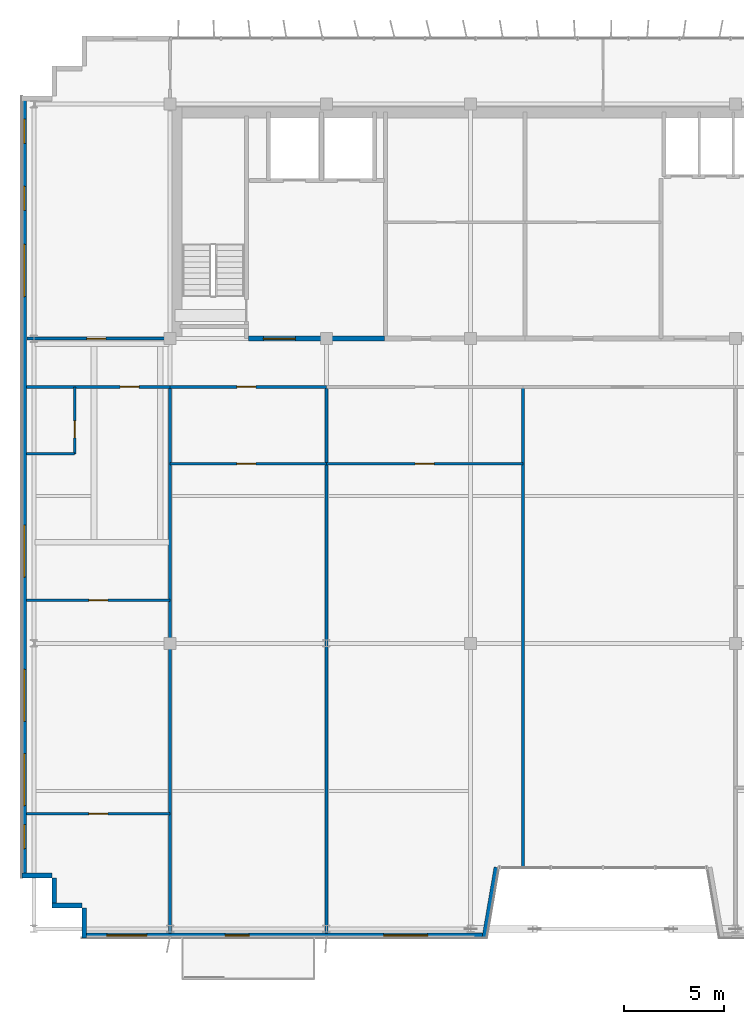
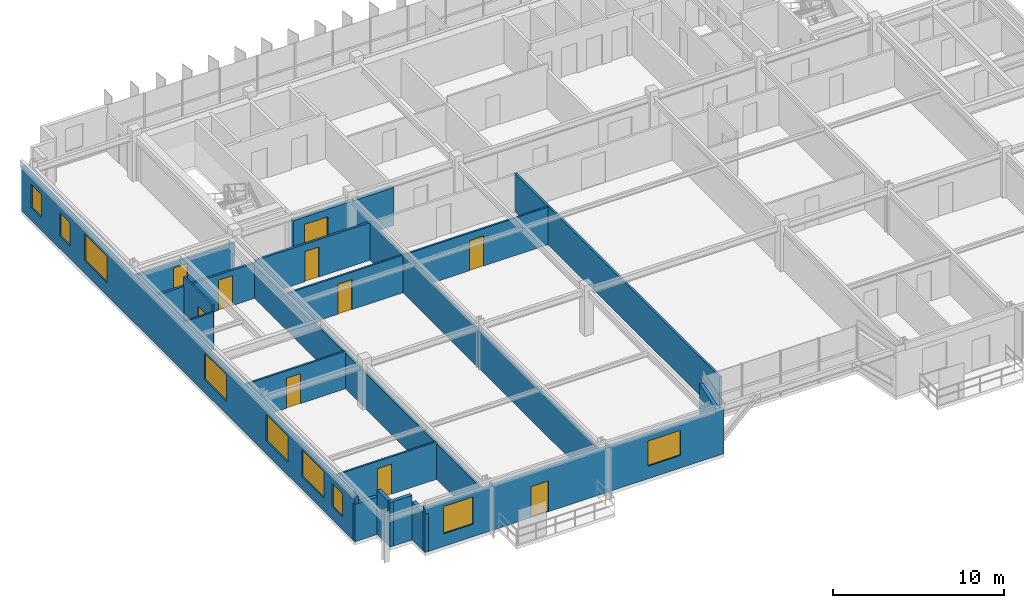
# One storey, part 21 of 26: 20 walls, 10 doors, 9 windows, 19 openings.
"""IFC4 building model written with IfcOpenShell, lengths in metres."""

from ifc_helpers import new_model, si_unit, direction, frame, frame_2d, origin, place, context, subcontext, project, spatial, rectangle, extrude, source, transform, mapped, material, layer, layer_set, type_object, element, fill, save


model = new_model("IFC4")

# Units and contexts
model_context = context("Model", 3, precision=1e-05, world=origin(), true_north=direction((0.0, 1.0)))
body_context = subcontext(model_context, "Body", "Model", "MODEL_VIEW")
ifc_project = project(units=[si_unit("LENGTHUNIT", "METRE"), si_unit("AREAUNIT", "SQUARE_METRE"), si_unit("VOLUMEUNIT", "CUBIC_METRE"), si_unit("PLANEANGLEUNIT", "RADIAN"), si_unit("MASSUNIT", "GRAM", prefix="KILO")], contexts=[model_context])

# Site, building, storey
site_placement = place(None, origin())
site = spatial("IfcSite", under=ifc_project, at=site_placement, CompositionType="ELEMENT")
building_placement = place(site_placement, origin())
building = spatial("IfcBuilding", under=site, at=building_placement, Name="Trelvane Seafront Commons", CompositionType="ELEMENT")
storey_placement = place(building_placement, frame((0.0, 0.0, 291.89990234375)))
storey = spatial("IfcBuildingStorey", under=building, at=storey_placement, Name="L76", CompositionType="ELEMENT", Elevation=291.89990234375)

# Walls
ifc_material_1 = material(Name="Precast concrete C40/50", Category="concrete")
ifc_layer_1 = layer(ifc_material_1, 0.239990234375, Name="ARCH-WALL-EXT240")
ifc_layer_set_1 = layer_set([ifc_layer_1], Name="Precast concrete C40/50")
wall_type_1 = type_object("IfcWallType", Name="ARCH-WALL-EXT240", PredefinedType="SOLIDWALL", material=ifc_layer_set_1)
for number, where, z_axis, x_axis, name in (
    (1, (11.199951171875, 5.1201171875, 0.0), (0.0, 0.0, 1.0), (-1.0, 0.0, 0.0), "EW-L76-01535"),
    (2, (9.820068359375, 5.0, 0.0), (0.0, 0.0, 1.0), (0.0, 1.0, 0.0), "EW-L76-01536"),
):
    element("IfcWall", number, at=place(storey_placement, frame(where, z_axis=z_axis, x_axis=x_axis)), inside=storey, type_object=wall_type_1, Name=name, PredefinedType="SOLIDWALL", context=body_context, shape_type="SweptSolid", body=[
        extrude(rectangle(XDim=1.5, YDim=0.239990234375, at=frame_2d((0.75, 0.0))), origin(), (0.0, 0.0, 1.0), 3.18017578125),
    ])
wall_1_placement = place(storey_placement, frame((9.699951171875, 6.6201171875, 0.0), z_axis=(0.0, 0.0, 1.0), x_axis=(-1.0, 0.0, 0.0)))
element("IfcWall", 3, at=wall_1_placement, inside=storey, type_object=wall_type_1, Name="EW-L76-01537", PredefinedType="SOLIDWALL", context=body_context, shape_type="SweptSolid", body=[
    extrude(rectangle(XDim=1.5, YDim=0.239990234375, at=frame_2d((0.75, 0.0))), origin(), (0.0, 0.0, 1.0), 2.68017578125),
])

# Wall, openings, windows
wall_2_placement = place(storey_placement, frame((8.320068359375, 6.5, 0.0), z_axis=(0.0, 0.0, 1.0), x_axis=(0.0, 1.0, 0.0)))
wall_2 = element("IfcWall", 4, at=wall_2_placement, inside=storey, type_object=wall_type_1, Name="EW-L76-01538", PredefinedType="SOLIDWALL", context=body_context, shape_type="SweptSolid", body=[
    extrude(rectangle(XDim=39.0, YDim=0.239990234375, at=frame_2d((19.5, 0.0))), origin(), (0.0, 0.0, 1.0), 3.18017578125),
])
opening_1_placement = place(wall_2_placement, frame((1.449951171875, 0.0, 0.919921875)))
opening_1 = element("IfcOpeningElement", 5, at=opening_1_placement, cuts=wall_2, Name="Opening W05", PredefinedType="OPENING", context=body_context, shape_type="SweptSolid", body=[
    extrude(rectangle(XDim=1.199951171875, YDim=1.64990234375, at=frame_2d((0.60009765625, 0.824951171875))), frame((0.0, 0.1298828125, 0.0), z_axis=(0.0, -1.0, 0.0), x_axis=(1.0, 0.0, 0.0)), (0.0, 0.0, 1.0), 0.260009765625),
])
opening_2_placement = place(wall_2_placement, frame((3.60009765625, 0.0, 0.919921875)))
opening_2 = element("IfcOpeningElement", 6, at=opening_2_placement, cuts=wall_2, Name="Opening W04", PredefinedType="OPENING", context=body_context, shape_type="SweptSolid", body=[
    extrude(rectangle(XDim=2.60009765625, YDim=1.89990234375, at=frame_2d((1.300048828125, 0.949951171875))), frame((0.0, 0.1298828125, 0.0), z_axis=(0.0, -1.0, 0.0), x_axis=(1.0, 0.0, 0.0)), (0.0, 0.0, 1.0), 0.260009765625),
])
opening_3_placement = place(wall_2_placement, frame((7.800048828125, 0.0, 0.919921875)))
opening_3 = element("IfcOpeningElement", 7, at=opening_3_placement, cuts=wall_2, Name="Opening W04", PredefinedType="OPENING", context=body_context, shape_type="SweptSolid", body=[
    extrude(rectangle(XDim=2.60009765625, YDim=1.89990234375, at=frame_2d((1.300048828125, 0.949951171875))), frame((0.0, 0.1298828125, 0.0), z_axis=(0.0, -1.0, 0.0), x_axis=(1.0, 0.0, 0.0)), (0.0, 0.0, 1.0), 0.260009765625),
])
opening_4_placement = place(wall_2_placement, frame((15.0, 0.0, 0.919921875)))
opening_4 = element("IfcOpeningElement", 8, at=opening_4_placement, cuts=wall_2, Name="Opening W04", PredefinedType="OPENING", context=body_context, shape_type="SweptSolid", body=[
    extrude(rectangle(XDim=2.60009765625, YDim=1.89990234375, at=frame_2d((1.300048828125, 0.949951171875))), frame((0.0, 0.1298828125, 0.0), z_axis=(0.0, -1.0, 0.0), x_axis=(1.0, 0.0, 0.0)), (0.0, 0.0, 1.0), 0.260009765625),
])
opening_5_placement = place(wall_2_placement, frame((29.0, 0.0, 0.919921875)))
opening_5 = element("IfcOpeningElement", 9, at=opening_5_placement, cuts=wall_2, Name="Opening W04", PredefinedType="OPENING", context=body_context, shape_type="SweptSolid", body=[
    extrude(rectangle(XDim=2.60009765625, YDim=1.89990234375, at=frame_2d((1.300048828125, 0.949951171875))), frame((0.0, 0.1298828125, 0.0), z_axis=(0.0, -1.0, 0.0), x_axis=(1.0, 0.0, 0.0)), (0.0, 0.0, 1.0), 0.260009765625),
])
opening_6_placement = place(wall_2_placement, frame((33.300048828125, 0.0, 0.919921875)))
opening_6 = element("IfcOpeningElement", 10, at=opening_6_placement, cuts=wall_2, Name="Opening W05", PredefinedType="OPENING", context=body_context, shape_type="SweptSolid", body=[
    extrude(rectangle(XDim=1.199951171875, YDim=1.64990234375, at=frame_2d((0.60009765625, 0.824951171875))), frame((0.0, 0.1298828125, 0.0), z_axis=(0.0, -1.0, 0.0), x_axis=(1.0, 0.0, 0.0)), (0.0, 0.0, 1.0), 0.260009765625),
])
opening_7_placement = place(wall_2_placement, frame((36.64990234375, 0.0, 0.919921875)))
opening_7 = element("IfcOpeningElement", 11, at=opening_7_placement, cuts=wall_2, Name="Opening W05", PredefinedType="OPENING", context=body_context, shape_type="SweptSolid", body=[
    extrude(rectangle(XDim=1.199951171875, YDim=1.64990234375, at=frame_2d((0.60009765625, 0.824951171875))), frame((0.0, 0.1298828125, 0.0), z_axis=(0.0, -1.0, 0.0), x_axis=(1.0, 0.0, 0.0)), (0.0, 0.0, 1.0), 0.260009765625),
])
ifc_material_2 = material(Name="Low-E coastal double glazing", Category="glass")
window_type_1 = type_object("IfcWindowType", Name="ARCH-WIN-W04", PartitioningType="SINGLE_PANEL", PredefinedType="WINDOW", material=ifc_material_2)
shared_shape_1 = source(origin(), body_context, "Body", "SweptSolid", [
    extrude(rectangle(XDim=2.60009765625, YDim=1.89990234375, at=frame_2d((1.300048828125, 0.949951171875))), frame((0.0, 0.030029296875, 0.0), z_axis=(0.0, -1.0, 0.0), x_axis=(1.0, 0.0, 0.0)), (0.0, 0.0, 1.0), 0.06005859375),
])
window_1_placement = place(opening_2_placement, origin())
window_1 = element("IfcWindow", 12, at=window_1_placement, inside=storey, type_object=window_type_1, Name="WIN-L76-EW-01820", OverallHeight=1.89990234375, OverallWidth=2.60009765625, PartitioningType="SINGLE_PANEL", PredefinedType="WINDOW", context=body_context, shape_type="MappedRepresentation", body=[
    mapped(shared_shape_1, transform((0.0, 0.0, 0.0), x_axis=(1.0, 0.0, 0.0), y_axis=(0.0, 1.0, 0.0), z_axis=(0.0, 0.0, 1.0), scale=1.0)),
])
fill(opening_2, window_1)
window_2_placement = place(opening_3_placement, origin())
window_2 = element("IfcWindow", 13, at=window_2_placement, inside=storey, type_object=window_type_1, Name="WIN-L76-EW-01821", OverallHeight=1.89990234375, OverallWidth=2.60009765625, PartitioningType="SINGLE_PANEL", PredefinedType="WINDOW", context=body_context, shape_type="MappedRepresentation", body=[
    mapped(shared_shape_1, transform((0.0, 0.0, 0.0), x_axis=(1.0, 0.0, 0.0), y_axis=(0.0, 1.0, 0.0), z_axis=(0.0, 0.0, 1.0), scale=1.0)),
])
fill(opening_3, window_2)
window_3_placement = place(opening_4_placement, origin())
window_3 = element("IfcWindow", 14, at=window_3_placement, inside=storey, type_object=window_type_1, Name="WIN-L76-EW-01822", OverallHeight=1.89990234375, OverallWidth=2.60009765625, PartitioningType="SINGLE_PANEL", PredefinedType="WINDOW", context=body_context, shape_type="MappedRepresentation", body=[
    mapped(shared_shape_1, transform((0.0, 0.0, 0.0), x_axis=(1.0, 0.0, 0.0), y_axis=(0.0, 1.0, 0.0), z_axis=(0.0, 0.0, 1.0), scale=1.0)),
])
fill(opening_4, window_3)
window_4_placement = place(opening_5_placement, origin())
window_4 = element("IfcWindow", 15, at=window_4_placement, inside=storey, type_object=window_type_1, Name="WIN-L76-EW-01823", OverallHeight=1.89990234375, OverallWidth=2.60009765625, PartitioningType="SINGLE_PANEL", PredefinedType="WINDOW", context=body_context, shape_type="MappedRepresentation", body=[
    mapped(shared_shape_1, transform((0.0, 0.0, 0.0), x_axis=(1.0, 0.0, 0.0), y_axis=(0.0, 1.0, 0.0), z_axis=(0.0, 0.0, 1.0), scale=1.0)),
])
fill(opening_5, window_4)
window_type_2 = type_object("IfcWindowType", Name="ARCH-WIN-W05", PartitioningType="SINGLE_PANEL", PredefinedType="WINDOW", material=ifc_material_2)
shared_shape_2 = source(origin(), body_context, "Body", "SweptSolid", [
    extrude(rectangle(XDim=1.199951171875, YDim=1.64990234375, at=frame_2d((0.60009765625, 0.824951171875))), frame((0.0, 0.030029296875, 0.0), z_axis=(0.0, -1.0, 0.0), x_axis=(1.0, 0.0, 0.0)), (0.0, 0.0, 1.0), 0.06005859375),
])
window_5_placement = place(opening_1_placement, origin())
window_5 = element("IfcWindow", 16, at=window_5_placement, inside=storey, type_object=window_type_2, Name="WIN-L76-EW-01819", OverallHeight=1.64990234375, OverallWidth=1.199951171875, PartitioningType="SINGLE_PANEL", PredefinedType="WINDOW", context=body_context, shape_type="MappedRepresentation", body=[
    mapped(shared_shape_2, transform((0.0, 0.0, 0.0), x_axis=(1.0, 0.0, 0.0), y_axis=(0.0, 1.0, 0.0), z_axis=(0.0, 0.0, 1.0), scale=1.0)),
])
fill(opening_1, window_5)
window_6_placement = place(opening_6_placement, origin())
window_6 = element("IfcWindow", 17, at=window_6_placement, inside=storey, type_object=window_type_2, Name="WIN-L76-EW-01824", OverallHeight=1.64990234375, OverallWidth=1.199951171875, PartitioningType="SINGLE_PANEL", PredefinedType="WINDOW", context=body_context, shape_type="MappedRepresentation", body=[
    mapped(shared_shape_2, transform((0.0, 0.0, 0.0), x_axis=(1.0, 0.0, 0.0), y_axis=(0.0, 1.0, 0.0), z_axis=(0.0, 0.0, 1.0), scale=1.0)),
])
fill(opening_6, window_6)
window_7_placement = place(opening_7_placement, origin())
window_7 = element("IfcWindow", 18, at=window_7_placement, inside=storey, type_object=window_type_2, Name="WIN-L76-EW-01825", OverallHeight=1.64990234375, OverallWidth=1.199951171875, PartitioningType="SINGLE_PANEL", PredefinedType="WINDOW", context=body_context, shape_type="MappedRepresentation", body=[
    mapped(shared_shape_2, transform((0.0, 0.0, 0.0), x_axis=(1.0, 0.0, 0.0), y_axis=(0.0, 1.0, 0.0), z_axis=(0.0, 0.0, 1.0), scale=1.0)),
])
fill(opening_7, window_7)

# Wall
wall_3_placement = place(storey_placement, frame((31.881591796875, 7.020263671875, 0.0), z_axis=(0.0, 0.0, 1.0), x_axis=(-0.168923741424, -0.98562912375, 0.0)))
element("IfcWall", 19, at=wall_3_placement, inside=storey, type_object=wall_type_1, Name="EW-L76-01554", PredefinedType="SOLIDWALL", context=body_context, shape_type="SweptSolid", body=[
    extrude(rectangle(XDim=3.551025390625, YDim=0.239990234375, at=frame_2d((1.775390625, 0.0))), origin(), (0.0, 0.0, 1.0), 2.72998046875),
])

# Wall, openings, door, windows
wall_4_placement = place(storey_placement, frame((31.39990234375, 3.6201171875, 0.0), z_axis=(0.0, 0.0, 1.0), x_axis=(-1.0, 0.0, 0.0)))
wall_4 = element("IfcWall", 20, at=wall_4_placement, inside=storey, type_object=wall_type_1, Name="EW-L76-01555", PredefinedType="SOLIDWALL", context=body_context, shape_type="SweptSolid", body=[
    extrude(rectangle(XDim=20.199951171875, YDim=0.239990234375, at=frame_2d((10.10009765625, 0.0))), origin(), (0.0, 0.0, 1.0), 3.18017578125),
])
opening_8_placement = place(wall_4_placement, frame((2.945068359375, 0.0, 0.89990234375)))
opening_8 = element("IfcOpeningElement", 21, at=opening_8_placement, cuts=wall_4, Name="Opening W02", PredefinedType="OPENING", context=body_context, shape_type="SweptSolid", body=[
    extrude(rectangle(XDim=2.199951171875, YDim=1.800048828125, at=frame_2d((1.10009765625, 0.89990234375))), frame((0.0, 0.1298828125, 0.0), z_axis=(0.0, -1.0, 0.0), x_axis=(1.0, 0.0, 0.0)), (0.0, 0.0, 1.0), 0.260009765625),
])
opening_9_placement = place(wall_4_placement, frame((11.85107421875, 0.0, 0.0)))
opening_9 = element("IfcOpeningElement", 22, at=opening_9_placement, cuts=wall_4, Name="Opening BD-L76-156", PredefinedType="OPENING", context=body_context, shape_type="SweptSolid", body=[
    extrude(rectangle(XDim=1.199951171875, YDim=2.199951171875, at=frame_2d((0.60009765625, 1.10009765625))), frame((0.0, 0.1298828125, 0.0), z_axis=(0.0, -1.0, 0.0), x_axis=(1.0, 0.0, 0.0)), (0.0, 0.0, 1.0), 0.260009765625),
])
opening_10_placement = place(wall_4_placement, frame((16.955078125, 0.0, 0.89990234375)))
opening_10 = element("IfcOpeningElement", 23, at=opening_10_placement, cuts=wall_4, Name="Opening W06", PredefinedType="OPENING", context=body_context, shape_type="SweptSolid", body=[
    extrude(rectangle(XDim=2.0, YDim=1.949951171875, at=frame_2d((1.0, 0.97509765625))), frame((0.0, 0.1298828125, 0.0), z_axis=(0.0, -1.0, 0.0), x_axis=(1.0, 0.0, 0.0)), (0.0, 0.0, 1.0), 0.260009765625),
])
ifc_material_3 = material(Name="Powder-coated aluminium frame", Category="aluminium")
door_type_1 = type_object("IfcDoorType", Name="ARCH-DR-BAL1200", OperationType="NOTDEFINED", PredefinedType="DOOR", material=ifc_material_3)
shared_shape_3 = source(origin(), body_context, "Body", "SweptSolid", [
    extrude(rectangle(XDim=1.199951171875, YDim=2.199951171875, at=frame_2d((0.60009765625, 1.10009765625))), frame((0.0, 0.02490234375, 0.0), z_axis=(0.0, -1.0, 0.0), x_axis=(1.0, 0.0, 0.0)), (0.0, 0.0, 1.0), 0.050048828125),
])
door_1_placement = place(opening_9_placement, origin())
door_1 = element("IfcDoor", 24, at=door_1_placement, inside=storey, type_object=door_type_1, Name="L76 Balcony Terrace Access Door", OperationType="SINGLE_SWING_LEFT", OverallHeight=2.199951171875, OverallWidth=1.199951171875, PredefinedType="DOOR", context=body_context, shape_type="MappedRepresentation", body=[
    mapped(shared_shape_3, transform((0.0, 0.0, 0.0), x_axis=(1.0, 0.0, 0.0), y_axis=(0.0, 1.0, 0.0), z_axis=(0.0, 0.0, 1.0), scale=1.0)),
])
fill(opening_9, door_1)
window_type_3 = type_object("IfcWindowType", Name="ARCH-WIN-W02", PartitioningType="SINGLE_PANEL", PredefinedType="WINDOW", material=ifc_material_2)
shared_shape_4 = source(origin(), body_context, "Body", "SweptSolid", [
    extrude(rectangle(XDim=2.199951171875, YDim=1.800048828125, at=frame_2d((1.10009765625, 0.89990234375))), frame((0.0, 0.030029296875, 0.0), z_axis=(0.0, -1.0, 0.0), x_axis=(1.0, 0.0, 0.0)), (0.0, 0.0, 1.0), 0.06005859375),
])
window_8_placement = place(opening_8_placement, origin())
window_8 = element("IfcWindow", 25, at=window_8_placement, inside=storey, type_object=window_type_3, Name="WIN-L76-01836", OverallHeight=1.800048828125, OverallWidth=2.199951171875, PartitioningType="SINGLE_PANEL", PredefinedType="WINDOW", context=body_context, shape_type="MappedRepresentation", body=[
    mapped(shared_shape_4, transform((0.0, 0.0, 0.0), x_axis=(1.0, 0.0, 0.0), y_axis=(0.0, 1.0, 0.0), z_axis=(0.0, 0.0, 1.0), scale=1.0)),
])
fill(opening_8, window_8)
window_type_4 = type_object("IfcWindowType", Name="ARCH-WIN-W06", PartitioningType="SINGLE_PANEL", PredefinedType="WINDOW", material=ifc_material_2)
shared_shape_5 = source(origin(), body_context, "Body", "SweptSolid", [
    extrude(rectangle(XDim=2.0, YDim=1.949951171875, at=frame_2d((1.0, 0.97509765625))), frame((0.0, 0.030029296875, 0.0), z_axis=(0.0, -1.0, 0.0), x_axis=(1.0, 0.0, 0.0)), (0.0, 0.0, 1.0), 0.06005859375),
])
window_9_placement = place(opening_10_placement, origin())
window_9 = element("IfcWindow", 26, at=window_9_placement, inside=storey, type_object=window_type_4, Name="WIN-L76-01837", OverallHeight=1.949951171875, OverallWidth=2.0, PartitioningType="SINGLE_PANEL", PredefinedType="WINDOW", context=body_context, shape_type="MappedRepresentation", body=[
    mapped(shared_shape_5, transform((0.0, 0.0, 0.0), x_axis=(1.0, 0.0, 0.0), y_axis=(0.0, 1.0, 0.0), z_axis=(0.0, 0.0, 1.0), scale=1.0)),
])
fill(opening_10, window_9)

# Wall
wall_5_placement = place(storey_placement, frame((11.320068359375, 3.5, 0.0), z_axis=(0.0, 0.0, 1.0), x_axis=(0.0, 1.0, 0.0)))
element("IfcWall", 27, at=wall_5_placement, inside=storey, type_object=wall_type_1, Name="EW-L76-01556", PredefinedType="SOLIDWALL", context=body_context, shape_type="SweptSolid", body=[
    extrude(rectangle(XDim=1.5, YDim=0.239990234375, at=frame_2d((0.75, 0.0))), origin(), (0.0, 0.0, 1.0), 2.72998046875),
])

# Wall, opening, door
ifc_material_4 = material(Name="Concrete C40/50", Category="concrete")
ifc_layer_2 = layer(ifc_material_4, 0.25, Name="ARCH-WALL-FIRE250")
ifc_layer_set_2 = layer_set([ifc_layer_2], Name="Concrete C40/50")
wall_type_2 = type_object("IfcWallType", Name="ARCH-WALL-FIRE250", PredefinedType="PARTITIONING", material=ifc_layer_set_2)
wall_6_placement = place(storey_placement, frame((19.5, 33.39990234375, 0.0), z_axis=(0.0, 0.0, 1.0), x_axis=(1.0, 0.0, 0.0)))
wall_6 = element("IfcWall", 28, at=wall_6_placement, inside=storey, type_object=wall_type_2, Name="W-L76-CS-FFL-013", PredefinedType="PARTITIONING", context=body_context, shape_type="SweptSolid", body=[
    extrude(rectangle(XDim=6.800048828125, YDim=0.25, at=frame_2d((3.39990234375, 0.0))), origin(), (0.0, 0.0, 1.0), 2.72998046875),
])
opening_11_placement = place(wall_6_placement, frame((0.75, 0.0, 0.0)))
opening_11 = element("IfcOpeningElement", 29, at=opening_11_placement, cuts=wall_6, Name="Opening FD-L76-05", PredefinedType="OPENING", context=body_context, shape_type="SweptSolid", body=[
    extrude(rectangle(XDim=1.60009765625, YDim=2.199951171875, at=frame_2d((0.800048828125, 1.10009765625))), frame((0.0, 0.135009765625, 0.0), z_axis=(0.0, -1.0, 0.0), x_axis=(1.0, 0.0, 0.0)), (0.0, 0.0, 1.0), 0.27001953125),
])
door_type_2 = type_object("IfcDoorType", Name="ARCH-DR-FD60-1600", OperationType="DOUBLE_DOOR_SINGLE_SWING", PredefinedType="DOOR", material=ifc_material_3)
shared_shape_6 = source(origin(), body_context, "Body", "SweptSolid", [
    extrude(rectangle(XDim=1.60009765625, YDim=2.199951171875, at=frame_2d((0.800048828125, 1.10009765625))), frame((0.0, 0.02490234375, 0.0), z_axis=(0.0, -1.0, 0.0), x_axis=(1.0, 0.0, 0.0)), (0.0, 0.0, 1.0), 0.050048828125),
])
door_2_placement = place(opening_11_placement, origin())
door_2 = element("IfcDoor", 30, at=door_2_placement, inside=storey, type_object=door_type_2, Name="L76 Firefighting Lift Lobby Double Fire Door", OperationType="DOUBLE_DOOR_SINGLE_SWING", OverallHeight=2.199951171875, OverallWidth=1.60009765625, PredefinedType="DOOR", context=body_context, shape_type="MappedRepresentation", body=[
    mapped(shared_shape_6, transform((0.0, 0.0, 0.0), x_axis=(1.0, 0.0, 0.0), y_axis=(0.0, 1.0, 0.0), z_axis=(0.0, 0.0, 1.0), scale=1.0)),
])
fill(opening_11, door_2)

ifc_material_5 = material(Name="Gypsum Drywall Acoustic Partition")
ifc_layer_3 = layer(ifc_material_5, 0.1201171875, Name="ARCH-WALL-PART120")
ifc_layer_set_3 = layer_set([ifc_layer_3], Name="Gypsum Drywall Acoustic Partition")
wall_type_3 = type_object("IfcWallType", Name="ARCH-WALL-PART120", PredefinedType="PARTITIONING", material=ifc_layer_set_3)
wall_7_placement = place(storey_placement, frame((8.43994140625, 20.35009765625, 0.0), z_axis=(0.0, 0.0, 1.0), x_axis=(1.0, 0.0, 0.0)))
wall_7 = element("IfcWall", 31, at=wall_7_placement, inside=storey, type_object=wall_type_3, Name="W-L76-U1-KL-046", PredefinedType="PARTITIONING", context=body_context, shape_type="SweptSolid", body=[
    extrude(rectangle(XDim=7.16015625, YDim=0.1201171875, at=frame_2d((3.580078125, 0.0))), origin(), (0.0, 0.0, 1.0), 2.68017578125),
])
opening_12_placement = place(wall_7_placement, frame((3.10498046875, 0.0, 0.0)))
opening_12 = element("IfcOpeningElement", 32, at=opening_12_placement, cuts=wall_7, Name="Opening D-L76-27", PredefinedType="OPENING", context=body_context, shape_type="SweptSolid", body=[
    extrude(rectangle(XDim=0.949951171875, YDim=2.14990234375, at=frame_2d((0.47509765625, 1.074951171875))), frame((0.0, 0.070068359375, 0.0), z_axis=(0.0, -1.0, 0.0), x_axis=(1.0, 0.0, 0.0)), (0.0, 0.0, 1.0), 0.14013671875),
])
ifc_material_6 = material(Name="Acoustic timber door leaf", Category="wood")
door_type_3 = type_object("IfcDoorType", Name="ARCH-DR-INT950", OperationType="NOTDEFINED", PredefinedType="DOOR", material=ifc_material_6)
shared_shape_7 = source(origin(), body_context, "Body", "SweptSolid", [
    extrude(rectangle(XDim=0.949951171875, YDim=2.14990234375, at=frame_2d((0.47509765625, 1.074951171875))), frame((0.0, 0.02490234375, 0.0), z_axis=(0.0, -1.0, 0.0), x_axis=(1.0, 0.0, 0.0)), (0.0, 0.0, 1.0), 0.050048828125),
])
door_3_placement = place(opening_12_placement, origin())
door_3 = element("IfcDoor", 33, at=door_3_placement, inside=storey, type_object=door_type_3, Name="L76 Door 27", OperationType="SINGLE_SWING_LEFT", OverallHeight=2.14990234375, OverallWidth=0.949951171875, PredefinedType="DOOR", context=body_context, shape_type="MappedRepresentation", body=[
    mapped(shared_shape_7, transform((0.0, 0.0, 0.0), x_axis=(1.0, 0.0, 0.0), y_axis=(0.0, 1.0, 0.0), z_axis=(0.0, 0.0, 1.0), scale=1.0)),
])
fill(opening_12, door_3)

wall_8_placement = place(storey_placement, frame((10.840087890625, 27.64990234375, 0.0), z_axis=(0.0, 0.0, 1.0), x_axis=(0.0, 1.0, 0.0)))
wall_8 = element("IfcWall", 34, at=wall_8_placement, inside=storey, type_object=wall_type_3, Name="W-L76-U1-BE-047", PredefinedType="PARTITIONING", context=body_context, shape_type="SweptSolid", body=[
    extrude(rectangle(XDim=3.35009765625, YDim=0.1201171875, at=frame_2d((1.675048828125, 0.0))), origin(), (0.0, 0.0, 1.0), 3.18017578125),
])
opening_13_placement = place(wall_8_placement, frame((0.800048828125, 0.0, 0.0)))
opening_13 = element("IfcOpeningElement", 35, at=opening_13_placement, cuts=wall_8, Name="Opening D-L76-28", PredefinedType="OPENING", context=body_context, shape_type="SweptSolid", body=[
    extrude(rectangle(XDim=0.85009765625, YDim=2.10009765625, at=frame_2d((0.425048828125, 1.050048828125))), frame((0.0, 0.070068359375, 0.0), z_axis=(0.0, -1.0, 0.0), x_axis=(1.0, 0.0, 0.0)), (0.0, 0.0, 1.0), 0.14013671875),
])
door_type_4 = type_object("IfcDoorType", Name="ARCH-DR-INT850", OperationType="NOTDEFINED", PredefinedType="DOOR", material=ifc_material_6)
shared_shape_8 = source(origin(), body_context, "Body", "SweptSolid", [
    extrude(rectangle(XDim=0.85009765625, YDim=2.10009765625, at=frame_2d((0.425048828125, 1.050048828125))), frame((0.0, 0.02490234375, 0.0), z_axis=(0.0, -1.0, 0.0), x_axis=(1.0, 0.0, 0.0)), (0.0, 0.0, 1.0), 0.050048828125),
])
door_4_placement = place(opening_13_placement, origin())
door_4 = element("IfcDoor", 36, at=door_4_placement, inside=storey, type_object=door_type_4, Name="L76 Door 28", OperationType="SINGLE_SWING_RIGHT", OverallHeight=2.10009765625, OverallWidth=0.85009765625, PredefinedType="DOOR", context=body_context, shape_type="MappedRepresentation", body=[
    mapped(shared_shape_8, transform((0.0, 0.0, 0.0), x_axis=(1.0, 0.0, 0.0), y_axis=(0.0, 1.0, 0.0), z_axis=(0.0, 0.0, 1.0), scale=1.0)),
])
fill(opening_13, door_4)

# Wall
wall_9_placement = place(storey_placement, frame((8.43994140625, 27.64990234375, 0.0), z_axis=(0.0, 0.0, 1.0), x_axis=(1.0, 0.0, 0.0)))
element("IfcWall", 37, at=wall_9_placement, inside=storey, type_object=wall_type_3, Name="W-L76-U1-BS-048", PredefinedType="PARTITIONING", context=body_context, shape_type="SweptSolid", body=[
    extrude(rectangle(XDim=2.400146484375, YDim=0.1201171875, at=frame_2d((1.2001953125, 0.0))), origin(), (0.0, 0.0, 1.0), 2.68017578125),
])

# Wall, opening, door
wall_10_placement = place(storey_placement, frame((8.43994140625, 9.699951171875, 0.0), z_axis=(0.0, 0.0, 1.0), x_axis=(1.0, 0.0, 0.0)))
wall_10 = element("IfcWall", 38, at=wall_10_placement, inside=storey, type_object=wall_type_3, Name="W-L76-U1-YM-1-050", PredefinedType="PARTITIONING", context=body_context, shape_type="SweptSolid", body=[
    extrude(rectangle(XDim=7.16015625, YDim=0.1201171875, at=frame_2d((3.580078125, 0.0))), origin(), (0.0, 0.0, 1.0), 2.68017578125),
])
opening_14_placement = place(wall_10_placement, frame((3.10498046875, 0.0, 0.0)))
opening_14 = element("IfcOpeningElement", 39, at=opening_14_placement, cuts=wall_10, Name="Opening D-L76-30", PredefinedType="OPENING", context=body_context, shape_type="SweptSolid", body=[
    extrude(rectangle(XDim=0.949951171875, YDim=2.14990234375, at=frame_2d((0.47509765625, 1.074951171875))), frame((0.0, 0.070068359375, 0.0), z_axis=(0.0, -1.0, 0.0), x_axis=(1.0, 0.0, 0.0)), (0.0, 0.0, 1.0), 0.14013671875),
])
door_5_placement = place(opening_14_placement, origin())
door_5 = element("IfcDoor", 40, at=door_5_placement, inside=storey, type_object=door_type_3, Name="L76 Door 30", OperationType="SINGLE_SWING_RIGHT", OverallHeight=2.14990234375, OverallWidth=0.949951171875, PredefinedType="DOOR", context=body_context, shape_type="MappedRepresentation", body=[
    mapped(shared_shape_7, transform((0.0, 0.0, 0.0), x_axis=(1.0, 0.0, 0.0), y_axis=(0.0, 1.0, 0.0), z_axis=(0.0, 0.0, 1.0), scale=1.0)),
])
fill(opening_14, door_5)

wall_11_placement = place(storey_placement, frame((15.60009765625, 27.14990234375, 0.0), z_axis=(0.0, 0.0, 1.0), x_axis=(1.0, 0.0, 0.0)))
wall_11 = element("IfcWall", 41, at=wall_11_placement, inside=storey, type_object=wall_type_3, Name="W-L76-U2-DIV-052", PredefinedType="PARTITIONING", context=body_context, shape_type="SweptSolid", body=[
    extrude(rectangle(XDim=7.7998046875, YDim=0.1201171875, at=frame_2d((3.89990234375, 0.0))), origin(), (0.0, 0.0, 1.0), 2.68017578125),
])
opening_15_placement = place(wall_11_placement, frame((3.3330078125, 0.0, 0.0)))
opening_15 = element("IfcOpeningElement", 42, at=opening_15_placement, cuts=wall_11, Name="Opening D-L76-32", PredefinedType="OPENING", context=body_context, shape_type="SweptSolid", body=[
    extrude(rectangle(XDim=0.949951171875, YDim=2.14990234375, at=frame_2d((0.47509765625, 1.074951171875))), frame((0.0, 0.070068359375, 0.0), z_axis=(0.0, -1.0, 0.0), x_axis=(1.0, 0.0, 0.0)), (0.0, 0.0, 1.0), 0.14013671875),
])
door_6_placement = place(opening_15_placement, origin())
door_6 = element("IfcDoor", 43, at=door_6_placement, inside=storey, type_object=door_type_3, Name="L76 Door 32", OperationType="SINGLE_SWING_RIGHT", OverallHeight=2.14990234375, OverallWidth=0.949951171875, PredefinedType="DOOR", context=body_context, shape_type="MappedRepresentation", body=[
    mapped(shared_shape_7, transform((0.0, 0.0, 0.0), x_axis=(1.0, 0.0, 0.0), y_axis=(0.0, 1.0, 0.0), z_axis=(0.0, 0.0, 1.0), scale=1.0)),
])
fill(opening_15, door_6)

wall_12_placement = place(storey_placement, frame((23.39990234375, 27.14990234375, 0.0), z_axis=(0.0, 0.0, 1.0), x_axis=(1.0, 0.0, 0.0)))
wall_12 = element("IfcWall", 44, at=wall_12_placement, inside=storey, type_object=wall_type_3, Name="W-L76-U3-DIV-054", PredefinedType="PARTITIONING", context=body_context, shape_type="SweptSolid", body=[
    extrude(rectangle(XDim=9.800048828125, YDim=0.1201171875, at=frame_2d((4.89990234375, 0.0))), origin(), (0.0, 0.0, 1.0), 2.68017578125),
])
opening_16_placement = place(wall_12_placement, frame((4.425048828125, 0.0, 0.0)))
opening_16 = element("IfcOpeningElement", 45, at=opening_16_placement, cuts=wall_12, Name="Opening D-L76-34", PredefinedType="OPENING", context=body_context, shape_type="SweptSolid", body=[
    extrude(rectangle(XDim=0.949951171875, YDim=2.14990234375, at=frame_2d((0.47509765625, 1.074951171875))), frame((0.0, 0.070068359375, 0.0), z_axis=(0.0, -1.0, 0.0), x_axis=(1.0, 0.0, 0.0)), (0.0, 0.0, 1.0), 0.14013671875),
])
door_7_placement = place(opening_16_placement, origin())
door_7 = element("IfcDoor", 46, at=door_7_placement, inside=storey, type_object=door_type_3, Name="L76 Door 34", OperationType="SINGLE_SWING_RIGHT", OverallHeight=2.14990234375, OverallWidth=0.949951171875, PredefinedType="DOOR", context=body_context, shape_type="MappedRepresentation", body=[
    mapped(shared_shape_7, transform((0.0, 0.0, 0.0), x_axis=(1.0, 0.0, 0.0), y_axis=(0.0, 1.0, 0.0), z_axis=(0.0, 0.0, 1.0), scale=1.0)),
])
fill(opening_16, door_7)

ifc_layer_4 = layer(ifc_material_5, 0.14990234375, Name="ARCH-WALL-PART150")
ifc_layer_set_4 = layer_set([ifc_layer_4], Name="Gypsum Drywall Acoustic Partition")
wall_type_4 = type_object("IfcWallType", Name="ARCH-WALL-PART150", PredefinedType="PARTITIONING", material=ifc_layer_set_4)
wall_13_placement = place(storey_placement, frame((8.449951171875, 33.39990234375, 0.0), z_axis=(0.0, 0.0, 1.0), x_axis=(1.0, 0.0, 0.0)))
wall_13 = element("IfcWall", 47, at=wall_13_placement, inside=storey, type_object=wall_type_4, Name="W-L76-NW-ENT-035", PredefinedType="PARTITIONING", context=body_context, shape_type="SweptSolid", body=[
    extrude(rectangle(XDim=7.150146484375, YDim=0.14990234375, at=frame_2d((3.5751953125, 0.0))), origin(), (0.0, 0.0, 1.0), 2.530029296875),
])
opening_17_placement = place(wall_13_placement, frame((3.0, 0.0, 0.0)))
opening_17 = element("IfcOpeningElement", 48, at=opening_17_placement, cuts=wall_13, Name="Opening FD-L76-22", PredefinedType="OPENING", context=body_context, shape_type="SweptSolid", body=[
    extrude(rectangle(XDim=0.949951171875, YDim=2.14990234375, at=frame_2d((0.47509765625, 1.074951171875))), frame((0.0, 0.0849609375, 0.0), z_axis=(0.0, -1.0, 0.0), x_axis=(1.0, 0.0, 0.0)), (0.0, 0.0, 1.0), 0.169921875),
])
door_type_5 = type_object("IfcDoorType", Name="ARCH-DR-FD60-950", OperationType="NOTDEFINED", PredefinedType="DOOR", material=ifc_material_3)
door_8_placement = place(opening_17_placement, origin())
door_8 = element("IfcDoor", 49, at=door_8_placement, inside=storey, type_object=door_type_5, Name="L76 NW Suite Entrance Door", OperationType="SINGLE_SWING_RIGHT", OverallHeight=2.14990234375, OverallWidth=0.949951171875, PredefinedType="DOOR", context=body_context, shape_type="MappedRepresentation", body=[
    mapped(shared_shape_7, transform((0.0, 0.0, 0.0), x_axis=(1.0, 0.0, 0.0), y_axis=(0.0, 1.0, 0.0), z_axis=(0.0, 0.0, 1.0), scale=1.0)),
])
fill(opening_17, door_8)

# Walls
wall_14_placement = place(storey_placement, frame((15.60009765625, 3.72509765625, 0.0), z_axis=(0.0, 0.0, 1.0), x_axis=(0.0, 1.0, 0.0)))
element("IfcWall", 50, at=wall_14_placement, inside=storey, type_object=wall_type_4, Name="W-L76-PW-1-040", PredefinedType="PARTITIONING", context=body_context, shape_type="SweptSolid", body=[
    extrude(rectangle(XDim=27.27490234375, YDim=0.14990234375, at=frame_2d((13.637451171875, 0.0))), origin(), (0.0, 0.0, 1.0), 2.530029296875),
])
wall_15_placement = place(storey_placement, frame((23.39990234375, 3.72509765625, 0.0), z_axis=(0.0, 0.0, 1.0), x_axis=(0.0, 1.0, 0.0)))
element("IfcWall", 51, at=wall_15_placement, inside=storey, type_object=wall_type_4, Name="W-L76-PW-2-041", PredefinedType="PARTITIONING", context=body_context, shape_type="SweptSolid", body=[
    extrude(rectangle(XDim=27.27490234375, YDim=0.14990234375, at=frame_2d((13.637451171875, 0.0))), origin(), (0.0, 0.0, 1.0), 2.68017578125),
])
wall_16_placement = place(storey_placement, frame((33.199951171875, 7.010009765625, 0.0), z_axis=(0.0, 0.0, 1.0), x_axis=(0.0, 1.0, 0.0)))
element("IfcWall", 52, at=wall_16_placement, inside=storey, type_object=wall_type_4, Name="W-L76-PW-3-042", PredefinedType="PARTITIONING", context=body_context, shape_type="SweptSolid", body=[
    extrude(rectangle(XDim=23.989990234375, YDim=0.14990234375, at=frame_2d((11.9951171875, 0.0))), origin(), (0.0, 0.0, 1.0), 2.72998046875),
])

# Wall, opening, door
wall_17_placement = place(storey_placement, frame((8.425048828125, 31.0, 0.0), z_axis=(0.0, 0.0, 1.0), x_axis=(1.0, 0.0, 0.0)))
wall_17 = element("IfcWall", 53, at=wall_17_placement, inside=storey, type_object=wall_type_4, Name="W-L76-CS-BAY-1-049", PredefinedType="PARTITIONING", context=body_context, shape_type="SweptSolid", body=[
    extrude(rectangle(XDim=7.175048828125, YDim=0.14990234375, at=frame_2d((3.58740234375, 0.0))), origin(), (0.0, 0.0, 1.0), 2.530029296875),
])
opening_18_placement = place(wall_17_placement, frame((4.680908203125, 0.0, 0.0)))
opening_18 = element("IfcOpeningElement", 54, at=opening_18_placement, cuts=wall_17, Name="Opening FD-L76-29", PredefinedType="OPENING", context=body_context, shape_type="SweptSolid", body=[
    extrude(rectangle(XDim=0.949951171875, YDim=2.14990234375, at=frame_2d((0.47509765625, 1.074951171875))), frame((0.0, 0.0849609375, 0.0), z_axis=(0.0, -1.0, 0.0), x_axis=(1.0, 0.0, 0.0)), (0.0, 0.0, 1.0), 0.169921875),
])
door_9_placement = place(opening_18_placement, origin())
door_9 = element("IfcDoor", 55, at=door_9_placement, inside=storey, type_object=door_type_5, Name="L76 Unit 01 Entrance Door", OperationType="SINGLE_SWING_LEFT", OverallHeight=2.14990234375, OverallWidth=0.949951171875, PredefinedType="DOOR", context=body_context, shape_type="MappedRepresentation", body=[
    mapped(shared_shape_7, transform((0.0, 0.0, 0.0), x_axis=(1.0, 0.0, 0.0), y_axis=(0.0, 1.0, 0.0), z_axis=(0.0, 0.0, 1.0), scale=1.0)),
])
fill(opening_18, door_9)

wall_18_placement = place(storey_placement, frame((15.60009765625, 31.0, 0.0), z_axis=(0.0, 0.0, 1.0), x_axis=(1.0, 0.0, 0.0)))
wall_18 = element("IfcWall", 56, at=wall_18_placement, inside=storey, type_object=wall_type_4, Name="W-L76-CS-BAY-2-051", PredefinedType="PARTITIONING", context=body_context, shape_type="SweptSolid", body=[
    extrude(rectangle(XDim=7.7998046875, YDim=0.14990234375, at=frame_2d((3.89990234375, 0.0))), origin(), (0.0, 0.0, 1.0), 2.68017578125),
])
opening_19_placement = place(wall_18_placement, frame((3.3330078125, 0.0, 0.0)))
opening_19 = element("IfcOpeningElement", 57, at=opening_19_placement, cuts=wall_18, Name="Opening FD-L76-31", PredefinedType="OPENING", context=body_context, shape_type="SweptSolid", body=[
    extrude(rectangle(XDim=0.949951171875, YDim=2.14990234375, at=frame_2d((0.47509765625, 1.074951171875))), frame((0.0, 0.0849609375, 0.0), z_axis=(0.0, -1.0, 0.0), x_axis=(1.0, 0.0, 0.0)), (0.0, 0.0, 1.0), 0.169921875),
])
door_10_placement = place(opening_19_placement, origin())
door_10 = element("IfcDoor", 58, at=door_10_placement, inside=storey, type_object=door_type_5, Name="L76 Bay 02 Entrance Door", OperationType="SINGLE_SWING_LEFT", OverallHeight=2.14990234375, OverallWidth=0.949951171875, PredefinedType="DOOR", context=body_context, shape_type="MappedRepresentation", body=[
    mapped(shared_shape_7, transform((0.0, 0.0, 0.0), x_axis=(1.0, 0.0, 0.0), y_axis=(0.0, 1.0, 0.0), z_axis=(0.0, 0.0, 1.0), scale=1.0)),
])
fill(opening_19, door_10)

save(model, "model.ifc")
